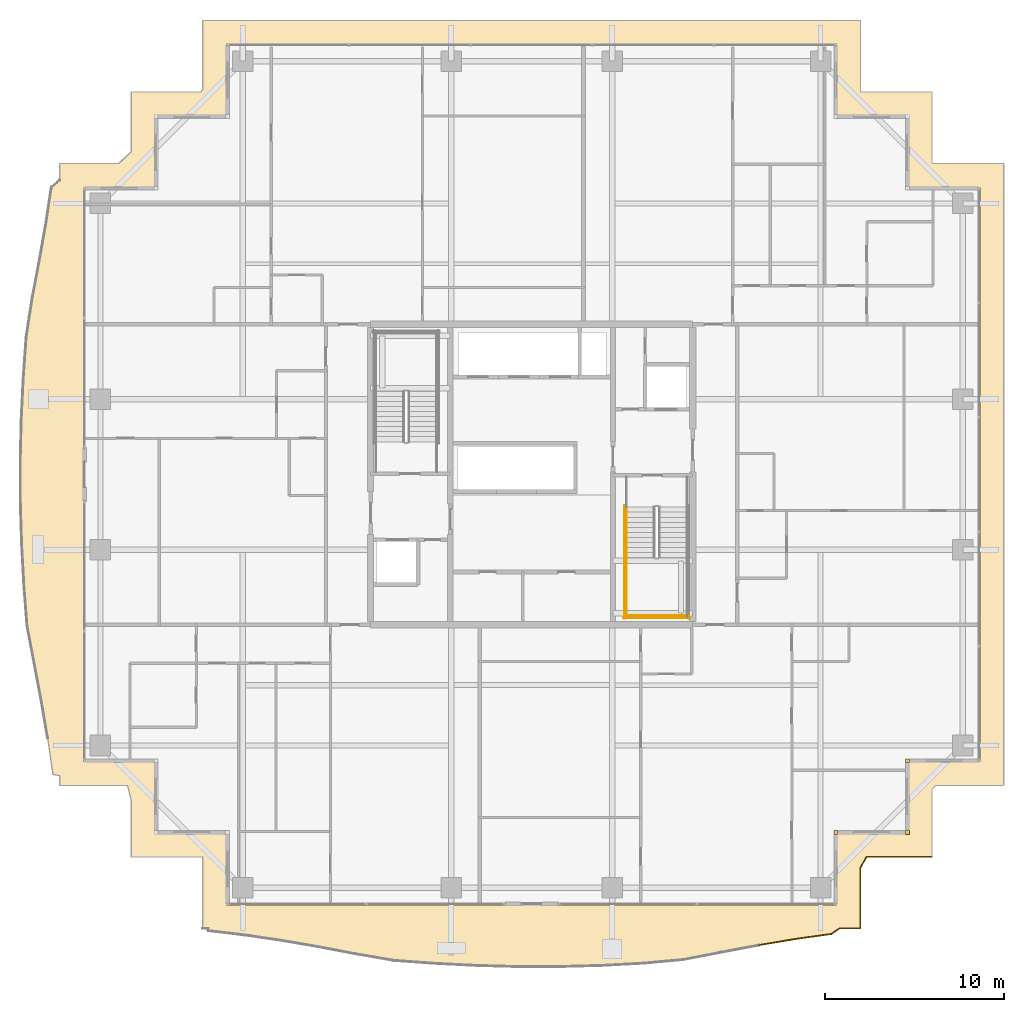
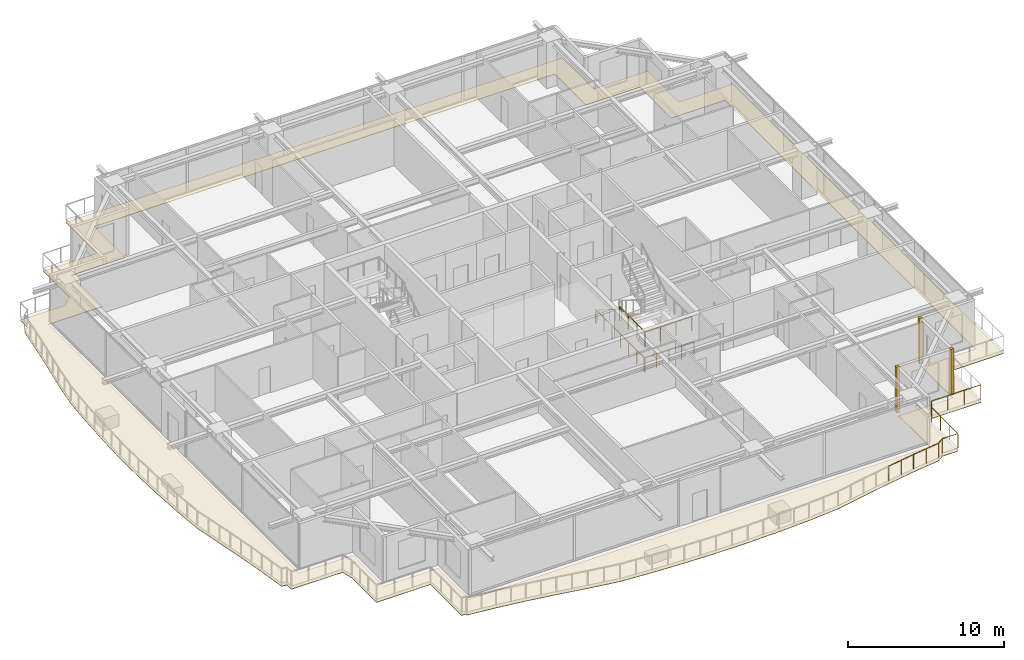
# One storey, part 33 of 35: 6 railings, 4 coverings.
"""IFC4 building model written with IfcOpenShell, lengths in metres."""

from ifc_helpers import new_model, si_unit, direction, frame, origin, origin_2d, place, context, subcontext, project, spatial, polyline, rectangle, circle, outline, extrude, source, transform, mapped, material, layer, layer_set, type_object, element, save


model = new_model("IFC4")

# Units and contexts
model_context = context("Model", 3, precision=1e-05, world=origin(), true_north=direction((0.0, 1.0)))
body_context = subcontext(model_context, "Body", "Model", "MODEL_VIEW")
ifc_project = project(units=[si_unit("LENGTHUNIT", "METRE"), si_unit("AREAUNIT", "SQUARE_METRE"), si_unit("VOLUMEUNIT", "CUBIC_METRE"), si_unit("PLANEANGLEUNIT", "RADIAN"), si_unit("MASSUNIT", "GRAM", prefix="KILO")], contexts=[model_context])

# Site, building, storey
site_placement = place(None, origin())
site = spatial("IfcSite", under=ifc_project, at=site_placement, CompositionType="ELEMENT")
building_placement = place(site_placement, origin())
building = spatial("IfcBuilding", under=site, at=building_placement, Name="Serunith Strait Residences", CompositionType="ELEMENT")
storey_placement = place(building_placement, frame((0.0, 0.0, 210.449951171875)))
storey = spatial("IfcBuildingStorey", under=building, at=storey_placement, Name="L52", CompositionType="ELEMENT", Elevation=210.449951171875)

# Covering
ifc_material_1 = material(Name="Golden Teak Exterior Timber Boarding", Category="wood")
ifc_layer_1 = layer(ifc_material_1, 0.034912109375, Name="Golden Teak Exterior Timber Boarding")
ifc_layer_set_1 = layer_set([ifc_layer_1], Name="Golden Teak Exterior Timber Boarding")
covering_type_1 = type_object("IfcCoveringType", Name="COV-TEAK-SOFFIT", PredefinedType="CEILING", material=ifc_layer_set_1)
covering_placement = place(storey_placement, frame((0.0, 0.0, -0.324951171875)))
element("IfcCovering", 1, at=covering_placement, inside=storey, type_object=covering_type_1, Name="L52 Golden-Teak Balcony Soffit Lining", PredefinedType="CEILING", context=body_context, shape_type="SweptSolid", body=[
    extrude(outline(polyline([(14.02001953125, -0.179931640625), (14.02001953125, 3.820068359375), (10.02001953125, 3.820068359375), (10.02001953125, 6.98828125), (9.8154296875, 7.820068359375), (6.02001953125, 7.820068359375), (6.02001953125, 8.3701171875), (5.64404296875, 8.432861328125), (5.3525390625, 10.458984375), (5.005615234375, 12.507080078125), (4.614013671875, 14.594970703125), (4.2041015625, 16.7412109375), (4.030029296875, 19.005859375), (3.904541015625, 21.3056640625), (3.83447265625, 23.62890625), (3.826904296875, 25.9619140625), (3.88232421875, 28.289306640625), (3.9951171875, 30.596923828125), (4.154296875, 32.873291015625), (4.49072265625, 35.061279296875), (4.89111328125, 37.16650390625), (5.253173828125, 39.225830078125), (5.561767578125, 41.25830078125), (6.02001953125, 41.644287109375), (6.02001953125, 42.580078125), (9.319580078125, 42.580078125), (10.02001953125, 43.233154296875), (10.02001953125, 46.580078125), (13.9189453125, 46.580078125), (14.02001953125, 46.734619140625), (14.02001953125, 50.580078125), (50.780029296875, 50.580078125), (50.780029296875, 46.580078125), (54.780029296875, 46.580078125), (54.780029296875, 42.580078125), (58.780029296875, 42.580078125), (58.780029296875, 7.820068359375), (54.97509765625, 7.820068359375), (54.780029296875, 7.597900390625), (54.780029296875, 3.820068359375), (51.12060546875, 3.820068359375), (50.780029296875, 3.201416015625), (50.780029296875, -0.179931640625), (49.6103515625, -0.179931640625), (49.1689453125, -0.488525390625), (47.14501953125, -0.77294921875), (45.101318359375, -1.1162109375), (43.018310546875, -1.508056640625), (40.8759765625, -1.9228515625), (38.615234375, -2.12841796875), (36.307861328125, -2.25), (33.976318359375, -2.314208984375), (31.6357421875, -2.314697265625), (29.302001953125, -2.252197265625), (26.990234375, -2.133544921875), (24.711181640625, -1.97021484375), (22.537109375, -1.596923828125), (20.438232421875, -1.1982421875), (18.38330078125, -0.84375), (16.353271484375, -0.54638671875), (14.33251953125, -0.306884765625), (14.33349609375, -0.179931640625), (14.02001953125, -0.179931640625)]), holes=[polyline([(49.455078125, 1.14501953125), (49.455078125, 5.14501953125), (53.455078125, 5.14501953125), (53.455078125, 9.14501953125), (57.455078125, 9.14501953125), (57.455078125, 41.2548828125), (53.455078125, 41.2548828125), (53.455078125, 45.2548828125), (49.455078125, 45.2548828125), (49.455078125, 49.2548828125), (15.344970703125, 49.2548828125), (15.344970703125, 45.2548828125), (11.344970703125, 45.2548828125), (11.344970703125, 41.2548828125), (7.344970703125, 41.2548828125), (7.344970703125, 9.14501953125), (11.344970703125, 9.14501953125), (11.344970703125, 5.14501953125), (15.344970703125, 5.14501953125), (15.344970703125, 1.14501953125), (49.455078125, 1.14501953125)])]), origin(), (0.0, 0.0, 1.0), 0.034912109375),
])

# Railings
ifc_material_2 = material(Name="Stainless Steel & Laminated Glass Balustrade", Category="steel")
railing_type_1 = type_object("IfcRailingType", Name="RLG-BALC-1150", PredefinedType="BALUSTRADE", material=ifc_material_2)
railing_1_placement = place(storey_placement, frame((54.780029296875, 3.820068359375, -0.050048828125)))
element("IfcRailing", 2, at=railing_1_placement, inside=storey, type_object=railing_type_1, Name="L52 Swirling Balcony Perimeter Balustrade 6", PredefinedType="BALUSTRADE", context=body_context, shape_type="SweptSolid", body=[
    extrude(circle(Radius=0.02392578125, at=origin_2d()), frame((-0.001953125, 0.0, 1.1259765625), z_axis=(-1.0, 0.0, 0.0), x_axis=(0.0, -1.0, 0.0)), (0.0, 0.0, 1.0), 3.655517578125),
    extrude(circle(Radius=0.02392578125, at=origin_2d()), frame((-3.660400390625, -0.001708984375, 1.1259765625), z_axis=(-0.482263757645, -0.876026065858, 0.0), x_axis=(0.876026065858, -0.482263757645, 0.0)), (0.0, 0.0, 1.0), 0.7021484375),
    extrude(circle(Radius=0.02392578125, at=origin_2d()), frame((-4.0, -0.62060546875, 1.1259765625), z_axis=(0.0, -1.0, 0.0), x_axis=(1.0, 0.0, 0.0)), (0.0, 0.0, 1.0), 3.37744140625),
    extrude(circle(Radius=0.02392578125, at=origin_2d()), frame((-4.001953125, -4.0, 1.1259765625), z_axis=(-1.0, 0.0, 0.0), x_axis=(0.0, -1.0, 0.0)), (0.0, 0.0, 1.0), 1.165771484375),
    extrude(circle(Radius=0.02392578125, at=origin_2d()), frame((-5.17138671875, -4.001220703125, 1.1259765625), z_axis=(-0.819572514018, -0.572975474402, 0.0), x_axis=(0.572975474402, -0.819572514018, 0.0)), (0.0, 0.0, 1.0), 0.53466796875),
    extrude(circle(Radius=0.02392578125, at=origin_2d()), frame((-5.613037109375, -4.308837890625, 1.1259765625), z_axis=(-0.990269443671, -0.139163317476, 0.0), x_axis=(0.139163317476, -0.990269443671, 0.0)), (0.0, 0.0, 1.0), 2.039794921875),
    extrude(circle(Radius=0.02392578125, at=origin_2d()), frame((-7.636962890625, -4.59326171875, 1.1259765625), z_axis=(-0.986186178955, -0.165640636437, 0.0), x_axis=(0.165640636437, -0.986186178955, 0.0)), (0.0, 0.0, 1.0), 2.068359375),
    extrude(circle(Radius=0.02099609375, at=origin_2d()), origin(), (0.0, 0.0, 1.0), 1.099853515625),
    extrude(circle(Radius=0.02099609375, at=origin_2d()), frame((-1.2197265625, 0.0, 0.0)), (0.0, 0.0, 1.0), 1.099853515625),
    extrude(circle(Radius=0.02099609375, at=origin_2d()), frame((-2.439697265625, 0.0, 0.0)), (0.0, 0.0, 1.0), 1.099853515625),
    extrude(circle(Radius=0.02099609375, at=origin_2d()), frame((-3.659423828125, 0.0, 0.0)), (0.0, 0.0, 1.0), 1.099853515625),
    extrude(circle(Radius=0.02099609375, at=origin_2d()), frame((-4.0, -0.61865234375, 0.0)), (0.0, 0.0, 1.0), 1.099853515625),
    extrude(circle(Radius=0.02099609375, at=origin_2d()), frame((-4.0, -1.745849609375, 0.0)), (0.0, 0.0, 1.0), 1.099853515625),
    extrude(circle(Radius=0.02099609375, at=origin_2d()), frame((-4.0, -2.872802734375, 0.0)), (0.0, 0.0, 1.0), 1.099853515625),
    extrude(circle(Radius=0.02099609375, at=origin_2d()), frame((-4.0, -4.0, 0.0)), (0.0, 0.0, 1.0), 1.099853515625),
    extrude(circle(Radius=0.02099609375, at=origin_2d()), frame((-5.169677734375, -4.0, 0.0)), (0.0, 0.0, 1.0), 1.099853515625),
    extrude(circle(Radius=0.02099609375, at=origin_2d()), frame((-5.611083984375, -4.30859375, 0.0)), (0.0, 0.0, 1.0), 1.099853515625),
    extrude(circle(Radius=0.02099609375, at=origin_2d()), frame((-6.623046875, -4.45068359375, 0.0)), (0.0, 0.0, 1.0), 1.099853515625),
    extrude(circle(Radius=0.02099609375, at=origin_2d()), frame((-7.635009765625, -4.593017578125, 0.0)), (0.0, 0.0, 1.0), 1.099853515625),
    extrude(circle(Radius=0.02099609375, at=origin_2d()), frame((-8.65673828125, -4.7646484375, 0.0)), (0.0, 0.0, 1.0), 1.099853515625),
    extrude(circle(Radius=0.02099609375, at=origin_2d()), frame((-9.6787109375, -4.936279296875, 0.0)), (0.0, 0.0, 1.0), 1.099853515625),
])
ifc_material_3 = material(Name="Brushed stainless steel 316L", Category="steel")
railing_type_2 = type_object("IfcRailingType", Name="RLG-STAIR-GUARD", PredefinedType="BALUSTRADE", material=ifc_material_3)
railing_2_placement = place(storey_placement, frame((37.699951171875, 20.570068359375, 1.925048828125)))
element("IfcRailing", 3, at=railing_2_placement, inside=storey, type_object=railing_type_2, Name="L52 ST-2 stair guard 3", PredefinedType="BALUSTRADE", context=body_context, shape_type="SweptSolid", body=[
    extrude(circle(Radius=0.02392578125, at=origin_2d()), frame((0.0, -0.001953125, 1.076171875), z_axis=(0.0, -1.0, 0.0), x_axis=(1.0, 0.0, 0.0)), (0.0, 0.0, 1.0), 3.316162109375),
    extrude(circle(Radius=0.02099609375, at=origin_2d()), origin(), (0.0, 0.0, 1.0), 1.050048828125),
    extrude(circle(Radius=0.02099609375, at=origin_2d()), frame((0.0, -1.106689453125, 0.0)), (0.0, 0.0, 1.0), 1.050048828125),
    extrude(circle(Radius=0.02099609375, at=origin_2d()), frame((0.0, -2.21337890625, 0.0)), (0.0, 0.0, 1.0), 1.050048828125),
    extrude(circle(Radius=0.02099609375, at=origin_2d()), frame((0.0, -3.320068359375, 0.0)), (0.0, 0.0, 1.0), 1.050048828125),
])
railing_3_placement = place(storey_placement, frame((37.64990234375, 17.300048828125, 1.925048828125)))
element("IfcRailing", 4, at=railing_3_placement, inside=storey, type_object=railing_type_2, Name="L52 ST-2 stair guard 5", PredefinedType="BALUSTRADE", context=body_context, shape_type="SweptSolid", body=[
    extrude(circle(Radius=0.02392578125, at=origin_2d()), frame((0.001953125, 0.0, 1.076171875), z_axis=(1.0, 0.0, 0.0), x_axis=(0.0, 1.0, 0.0)), (0.0, 0.0, 1.0), 3.49609375),
    extrude(circle(Radius=0.02099609375, at=origin_2d()), origin(), (0.0, 0.0, 1.0), 1.050048828125),
    extrude(circle(Radius=0.02099609375, at=origin_2d()), frame((1.166748046875, 0.0, 0.0)), (0.0, 0.0, 1.0), 1.050048828125),
    extrude(circle(Radius=0.02099609375, at=origin_2d()), frame((2.333251953125, 0.0, 0.0)), (0.0, 0.0, 1.0), 1.050048828125),
    extrude(circle(Radius=0.02099609375, at=origin_2d()), frame((3.5, 0.0, 0.0)), (0.0, 0.0, 1.0), 1.050048828125),
])
railing_4_placement = place(storey_placement, frame((37.60009765625, 23.469970703125, 0.0)))
element("IfcRailing", 5, at=railing_4_placement, inside=storey, type_object=railing_type_2, Name="L52 ST-2 stair guard 10", PredefinedType="BALUSTRADE", context=body_context, shape_type="SweptSolid", body=[
    extrude(circle(Radius=0.02392578125, at=origin_2d()), frame((0.0, -0.001953125, 1.076171875), z_axis=(0.0, -1.0, 0.0), x_axis=(1.0, 0.0, 0.0)), (0.0, 0.0, 1.0), 6.316162109375),
    extrude(circle(Radius=0.02099609375, at=origin_2d()), origin(), (0.0, 0.0, 1.0), 1.050048828125),
    extrude(circle(Radius=0.02099609375, at=origin_2d()), frame((0.0, -1.05322265625, 0.0)), (0.0, 0.0, 1.0), 1.050048828125),
    extrude(circle(Radius=0.02099609375, at=origin_2d()), frame((0.0, -2.106689453125, 0.0)), (0.0, 0.0, 1.0), 1.050048828125),
    extrude(circle(Radius=0.02099609375, at=origin_2d()), frame((0.0, -3.16015625, 0.0)), (0.0, 0.0, 1.0), 1.050048828125),
    extrude(circle(Radius=0.02099609375, at=origin_2d()), frame((0.0, -4.21337890625, 0.0)), (0.0, 0.0, 1.0), 1.050048828125),
    extrude(circle(Radius=0.02099609375, at=origin_2d()), frame((0.0, -5.2666015625, 0.0)), (0.0, 0.0, 1.0), 1.050048828125),
    extrude(circle(Radius=0.02099609375, at=origin_2d()), frame((0.0, -6.320068359375, 0.0)), (0.0, 0.0, 1.0), 1.050048828125),
])
railing_5_placement = place(storey_placement, frame((37.550048828125, 17.199951171875, 0.0)))
element("IfcRailing", 6, at=railing_5_placement, inside=storey, type_object=railing_type_2, Name="L52 ST-2 stair guard 12", PredefinedType="BALUSTRADE", context=body_context, shape_type="SweptSolid", body=[
    extrude(circle(Radius=0.02392578125, at=origin_2d()), frame((0.001953125, 0.0, 1.076171875), z_axis=(1.0, 0.0, 0.0), x_axis=(0.0, 1.0, 0.0)), (0.0, 0.0, 1.0), 3.696044921875),
    extrude(circle(Radius=0.02099609375, at=origin_2d()), origin(), (0.0, 0.0, 1.0), 1.050048828125),
    extrude(circle(Radius=0.02099609375, at=origin_2d()), frame((0.925048828125, 0.0, 0.0)), (0.0, 0.0, 1.0), 1.050048828125),
    extrude(circle(Radius=0.02099609375, at=origin_2d()), frame((1.85009765625, 0.0, 0.0)), (0.0, 0.0, 1.0), 1.050048828125),
    extrude(circle(Radius=0.02099609375, at=origin_2d()), frame((2.77490234375, 0.0, 0.0)), (0.0, 0.0, 1.0), 1.050048828125),
    extrude(circle(Radius=0.02099609375, at=origin_2d()), frame((3.699951171875, 0.0, 0.0)), (0.0, 0.0, 1.0), 1.050048828125),
])
railing_type_3 = type_object("IfcRailingType", Name="RLG-STAIR-HR", PredefinedType="HANDRAIL", material=ifc_material_3)
railing_6_placement = place(storey_placement, frame((37.699951171875, 23.3701171875, 0.175048828125)))
element("IfcRailing", 7, at=railing_6_placement, inside=storey, type_object=railing_type_3, Name="L52 ST-2 stair handrail 1", PredefinedType="HANDRAIL", context=body_context, shape_type="SweptSolid", body=[
    extrude(circle(Radius=0.02392578125, at=origin_2d()), frame((0.0, -0.001708984375, 0.876953125), z_axis=(0.0, -0.847393994688, 0.530964610654), x_axis=(1.0, 0.0, 0.0)), (0.0, 0.0, 1.0), 3.630859375),
    extrude(circle(Radius=0.02099609375, at=origin_2d()), origin(), (0.0, 0.0, 1.0), 0.849853515625),
    extrude(circle(Radius=0.02099609375, at=origin_2d()), frame((0.0, -0.77001953125, 0.482421875)), (0.0, 0.0, 1.0), 0.849853515625),
    extrude(circle(Radius=0.02099609375, at=origin_2d()), frame((0.0, -1.5400390625, 0.96484375)), (0.0, 0.0, 1.0), 0.849853515625),
    extrude(circle(Radius=0.02099609375, at=origin_2d()), frame((0.0, -2.31005859375, 1.447509765625)), (0.0, 0.0, 1.0), 0.849853515625),
    extrude(circle(Radius=0.02099609375, at=origin_2d()), frame((0.0, -3.080078125, 1.929931640625)), (0.0, 0.0, 1.0), 0.849853515625),
])

# Coverings
ifc_material_4 = material(Name="Pale-Champagne Anodised Aluminium", Category="aluminium")
ifc_layer_2 = layer(ifc_material_4, 0.219970703125, Name="Pale-Champagne Anodised Aluminium")
ifc_layer_set_2 = layer_set([ifc_layer_2], Name="Pale-Champagne Anodised Aluminium")
covering_type_2 = type_object("IfcCoveringType", Name="COV-CORN-TRIM", PredefinedType="CLADDING", material=ifc_layer_set_2)
shared_shape = source(origin(), body_context, "Body", "SweptSolid", [
    extrude(rectangle(XDim=0.221923828125, YDim=0.221923828125, at=origin_2d()), origin(), (0.0, 0.0, 1.0), 3.574951171875),
])
for number, where, z_axis, x_axis, name in (
    (8, (49.39990234375, 5.199951171875, 0.0), (0.0, 0.0, 1.0), (1.0, 0.0, 0.0), "L52 Girih Serrated Corner Trim Post 02"),
    (9, (53.39990234375, 5.199951171875, 0.0), (0.0, 0.0, 1.0), (1.0, 0.0, 0.0), "L52 Girih Serrated Corner Trim Post 03"),
    (10, (53.39990234375, 9.199951171875, 0.0), (0.0, 0.0, 1.0), (1.0, 0.0, 0.0), "L52 Girih Serrated Corner Trim Post 04"),
):
    element("IfcCovering", number, at=place(storey_placement, frame(where, z_axis=z_axis, x_axis=x_axis)), inside=storey, type_object=covering_type_2, Name=name, PredefinedType="CLADDING", context=body_context, shape_type="MappedRepresentation", body=[
        mapped(shared_shape, transform((0.0, 0.0, 0.0), scale=1.0)),
    ])

save(model, "model.ifc")
